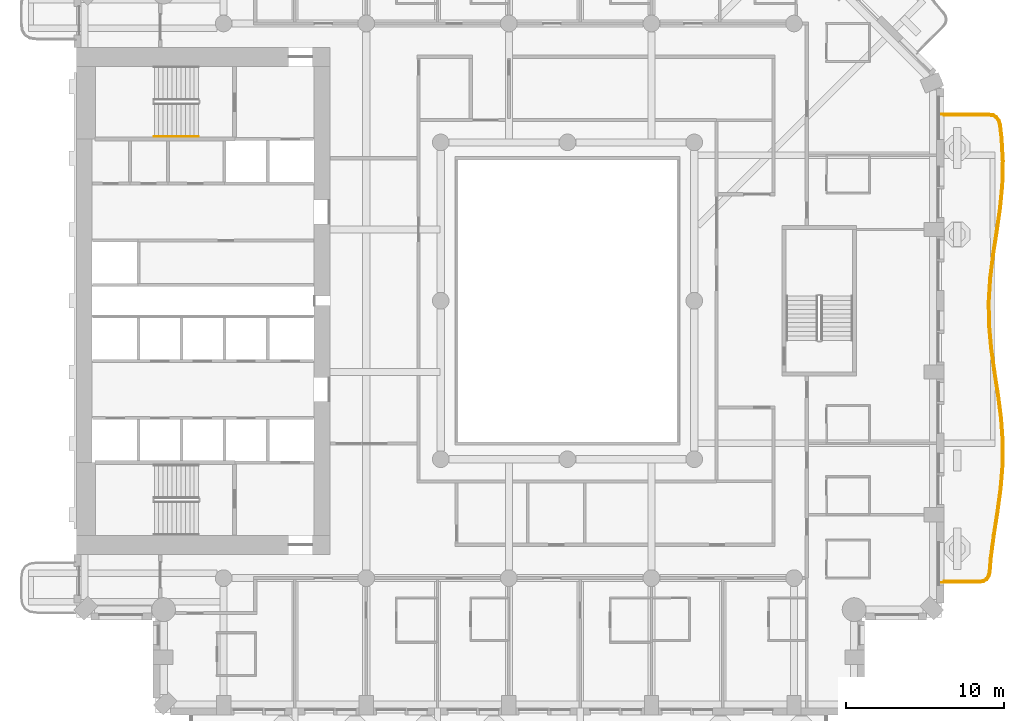
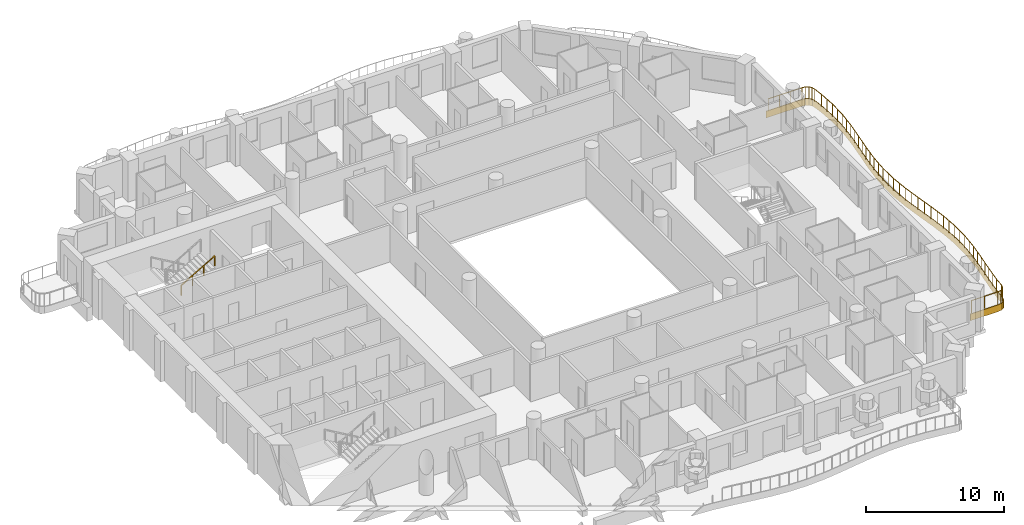
# One storey, part 16 of 20: 2 railings, 1 covering.
"""IFC4 building model written with IfcOpenShell, lengths in metres."""

from ifc_helpers import new_model, si_unit, direction, frame, origin, origin_2d, place, context, subcontext, project, spatial, polyline, rectangle, outline, extrude, material, layer, layer_set, type_object, element, save


model = new_model("IFC4")

# Units and contexts
model_context = context("Model", 3, precision=1e-05, world=origin(), true_north=direction((0.0, 1.0)))
body_context = subcontext(model_context, "Body", "Model", "MODEL_VIEW")
ifc_project = project(units=[si_unit("LENGTHUNIT", "METRE"), si_unit("AREAUNIT", "SQUARE_METRE"), si_unit("VOLUMEUNIT", "CUBIC_METRE"), si_unit("PLANEANGLEUNIT", "RADIAN"), si_unit("MASSUNIT", "GRAM", prefix="KILO")], contexts=[model_context])

# Site, building, storey
site_placement = place(None, origin())
site = spatial("IfcSite", under=ifc_project, at=site_placement, CompositionType="ELEMENT")
building_placement = place(site_placement, origin())
building = spatial("IfcBuilding", under=site, at=building_placement, Name="Cypress Arch Tower", CompositionType="ELEMENT")
storey_placement = place(building_placement, frame((0.0, 0.0, 109.5)))
storey = spatial("IfcBuildingStorey", under=building, at=storey_placement, Name="L22", CompositionType="ELEMENT", Elevation=109.5)

# Covering
ifc_material_1 = material(Name="White powder-coated aluminium fascia", Category="aluminium")
ifc_layer = layer(ifc_material_1, 0.050048828125)
ifc_layer_set = layer_set([ifc_layer], Name="Balcony fascia BF50")
covering_type = type_object("IfcCoveringType", Name="Balcony fascia BF50", PredefinedType="CLADDING", material=ifc_layer_set)
covering_placement = place(storey_placement, frame((0.0, 0.0, -0.60009765625)))
element("IfcCovering", 1, at=covering_placement, inside=storey, type_object=covering_type, Name="Balcony fascia L22-A06", PredefinedType="CLADDING", context=body_context, shape_type="SweptSolid", body=[
    extrude(outline(polyline([(27.5751953125, 11.800048828125), (27.88525390625, 11.7568359375), (28.126953125, 11.622314453125), (28.2890625, 11.3984375), (28.36865234375, 11.095703125), (28.46630859375, 10.279296875), (28.547607421875, 8.80078125), (28.5126953125, 7.322021484375), (28.370361328125, 5.843994140625), (28.158203125, 4.36767578125), (27.930908203125, 2.89306640625), (27.74755859375, 1.42041015625), (27.655517578125, -0.05126953125), (27.678466796875, -1.5224609375), (27.810546875, -2.994384765625), (28.017578125, -4.4677734375), (28.24609375, -5.94287109375), (28.436767578125, -7.420166015625), (28.540283203125, -8.8984375), (28.529052734375, -10.377197265625), (28.40673828125, -11.85546875), (28.20458984375, -13.332275390625), (27.975341796875, -14.80712890625), (27.77880859375, -16.2802734375), (27.716064453125, -17.093505859375), (27.649169921875, -17.396728515625), (27.49658203125, -17.621826171875), (27.260498046875, -17.756591796875), (26.953125, -17.800048828125), (24.60107421875, -17.800048828125), (24.60107421875, -17.75), (26.94970703125, -17.75), (27.244140625, -17.70849609375), (27.461669921875, -17.583984375), (27.6025390625, -17.376708984375), (27.66650390625, -17.086181640625), (27.72900390625, -16.27490234375), (27.926025390625, -14.800048828125), (28.155029296875, -13.324951171875), (28.35693359375, -11.85009765625), (28.479248046875, -10.375), (28.490234375, -8.89990234375), (28.386962890625, -7.425048828125), (28.196533203125, -5.949951171875), (27.968017578125, -4.47509765625), (27.7607421875, -3.0), (27.62841796875, -1.52490234375), (27.60546875, -0.050048828125), (27.69775390625, 1.425048828125), (27.88134765625, 2.89990234375), (28.108642578125, 4.375), (28.32080078125, 5.85009765625), (28.462646484375, 7.324951171875), (28.49755859375, 8.800048828125), (28.416259765625, 10.27490234375), (28.3193359375, 11.086181640625), (28.242919921875, 11.376708984375), (28.0927734375, 11.583984375), (27.869140625, 11.70849609375), (27.57177734375, 11.75), (24.60107421875, 11.75), (24.60107421875, 11.800048828125), (27.5751953125, 11.800048828125)])), origin(), (0.0, 0.0, 1.0), 0.60009765625),
])

# Railings
ifc_material_2 = material(Name="Powder-coated steel posts and rods, 100 mm clear between rods", Category="steel")
railing_type_1 = type_object("IfcRailingType", Name="Balcony guard GR1100", PredefinedType="GUARDRAIL", material=ifc_material_2)
railing_1_placement = place(storey_placement, frame((24.75, 11.699951171875, 0.0)))
element("IfcRailing", 2, at=railing_1_placement, inside=storey, type_object=railing_type_1, Name="Balcony guard L22-A06", PredefinedType="GUARDRAIL", context=body_context, shape_type="SweptSolid", body=[
    extrude(rectangle(XDim=0.050048828125, YDim=0.050048828125, at=origin_2d()), frame((0.0, 0.0, 1.0751953125), z_axis=(1.0, 0.0, 0.0), x_axis=(0.0, 1.0, 0.0)), (0.0, 0.0, 1.0), 2.818359375),
    extrude(rectangle(XDim=0.050048828125, YDim=0.050048828125, at=origin_2d()), frame((2.818359375, 0.0, 1.0751953125), z_axis=(0.990485841564, -0.137614670955, 0.0), x_axis=(0.137614670955, 0.990485841564, 0.0)), (0.0, 0.0, 1.0), 0.287353515625),
    extrude(rectangle(XDim=0.050048828125, YDim=0.050048828125, at=origin_2d()), frame((3.10302734375, -0.03955078125, 1.0751953125), z_axis=(0.873423198204, -0.486961925452, 0.0), x_axis=(0.486961925452, 0.873423198204, 0.0)), (0.0, 0.0, 1.0), 0.235595703125),
    extrude(rectangle(XDim=0.050048828125, YDim=0.050048828125, at=origin_2d()), frame((3.308837890625, -0.154296875, 1.0751953125), z_axis=(0.586814656853, -0.809721284457, 0.0), x_axis=(0.809721284457, 0.586814656853, 0.0)), (0.0, 0.0, 1.0), 0.235595703125),
    extrude(rectangle(XDim=0.050048828125, YDim=0.050048828125, at=origin_2d()), frame((3.447021484375, -0.344970703125, 1.0751953125), z_axis=(0.254702245959, -0.967019527157, 0.0), x_axis=(0.967019527157, 0.254702245959, 0.0)), (0.0, 0.0, 1.0), 0.28759765625),
    extrude(rectangle(XDim=0.050048828125, YDim=0.050048828125, at=origin_2d()), frame((3.520263671875, -0.623046875, 1.0751953125), z_axis=(0.118481157636, -0.992956300793, 0.0), x_axis=(0.992956300793, 0.118481157636, 0.0)), (0.0, 0.0, 1.0), 0.811767578125),
    extrude(rectangle(XDim=0.050048828125, YDim=0.050048828125, at=origin_2d()), frame((3.616455078125, -1.42919921875, 1.0751953125), z_axis=(0.05500206271, -0.998486240815, 0.0), x_axis=(0.998486240815, 0.05500206271, 0.0)), (0.0, 0.0, 1.0), 1.4736328125),
    extrude(rectangle(XDim=0.050048828125, YDim=0.050048828125, at=origin_2d()), frame((3.697509765625, -2.900634765625, 1.0751953125), z_axis=(-0.023554107188, -0.999722563532, 0.0), x_axis=(0.999722563532, -0.023554107188, 0.0)), (0.0, 0.0, 1.0), 1.471923828125),
    extrude(rectangle(XDim=0.050048828125, YDim=0.050048828125, at=origin_2d()), frame((3.662841796875, -4.3720703125, 1.0751953125), z_axis=(-0.095759596037, -0.99540449053, 0.0), x_axis=(0.99540449053, -0.095759596037, 0.0)), (0.0, 0.0, 1.0), 1.478759765625),
    extrude(rectangle(XDim=0.050048828125, YDim=0.050048828125, at=origin_2d()), frame((3.521240234375, -5.843994140625, 1.0751953125), z_axis=(-0.142339615489, -0.989817879139, 0.0), x_axis=(0.989817879139, -0.142339615489, 0.0)), (0.0, 0.0, 1.0), 1.48876953125),
    extrude(rectangle(XDim=0.050048828125, YDim=0.050048828125, at=origin_2d()), frame((3.309326171875, -7.317626953125, 1.0751953125), z_axis=(-0.152425863588, -0.98831490736, 0.0), x_axis=(0.98831490736, -0.152425863588, 0.0)), (0.0, 0.0, 1.0), 1.49267578125),
    extrude(rectangle(XDim=0.050048828125, YDim=0.050048828125, at=origin_2d()), frame((3.081787109375, -8.79296875, 1.0751953125), z_axis=(-0.123489741235, -0.99234584889, 0.0), x_axis=(0.99234584889, -0.123489741235, 0.0)), (0.0, 0.0, 1.0), 1.48876953125),
    extrude(rectangle(XDim=0.050048828125, YDim=0.050048828125, at=origin_2d()), frame((2.89794921875, -10.270263671875, 1.0751953125), z_axis=(-0.062460366855, -0.998047445051, 0.0), x_axis=(0.998047445051, -0.062460366855, 0.0)), (0.0, 0.0, 1.0), 1.4814453125),
    extrude(rectangle(XDim=0.050048828125, YDim=0.050048828125, at=origin_2d()), frame((2.805419921875, -11.748779296875, 1.0751953125), z_axis=(0.015682403374, -0.999877023551, 0.0), x_axis=(0.999877023551, 0.015682403374, 0.0)), (0.0, 0.0, 1.0), 1.47900390625),
    extrude(rectangle(XDim=0.050048828125, YDim=0.050048828125, at=origin_2d()), frame((2.82861328125, -13.2275390625, 1.0751953125), z_axis=(0.089170937356, -0.996016337181, 0.0), x_axis=(0.996016337181, 0.089170937356, 0.0)), (0.0, 0.0, 1.0), 1.48388671875),
    extrude(rectangle(XDim=0.050048828125, YDim=0.050048828125, at=origin_2d()), frame((2.9609375, -14.70556640625, 1.0751953125), z_axis=(0.139151988806, -0.990271035632, 0.0), x_axis=(0.990271035632, 0.139151988806, 0.0)), (0.0, 0.0, 1.0), 1.4912109375),
    extrude(rectangle(XDim=0.050048828125, YDim=0.050048828125, at=origin_2d()), frame((3.16845703125, -16.182373046875, 1.0751953125), z_axis=(0.153139000027, -0.988204658292, 0.0), x_axis=(0.988204658292, 0.153139000027, 0.0)), (0.0, 0.0, 1.0), 1.4921875),
    extrude(rectangle(XDim=0.050048828125, YDim=0.050048828125, at=origin_2d()), frame((3.39697265625, -17.656982421875, 1.0751953125), z_axis=(0.128060010267, -0.991766420973, 0.0), x_axis=(0.991766420973, 0.128060010267, 0.0)), (0.0, 0.0, 1.0), 1.485107421875),
    extrude(rectangle(XDim=0.050048828125, YDim=0.050048828125, at=origin_2d()), frame((3.587158203125, -19.1298828125, 1.0751953125), z_axis=(0.06983571492, -0.997558506014, 0.0), x_axis=(0.997558506014, 0.06983571492, 0.0)), (0.0, 0.0, 1.0), 1.475341796875),
    extrude(rectangle(XDim=0.050048828125, YDim=0.050048828125, at=origin_2d()), frame((3.690185546875, -20.6015625, 1.0751953125), z_axis=(-0.007467432015, -0.999972118341, 0.0), x_axis=(0.999972118341, -0.007467432015, 0.0)), (0.0, 0.0, 1.0), 1.47119140625),
    extrude(rectangle(XDim=0.050048828125, YDim=0.050048828125, at=origin_2d()), frame((3.67919921875, -22.07275390625, 1.0751953125), z_axis=(-0.082662376359, -0.996577609389, 0.0), x_axis=(0.996577609389, -0.082662376359, 0.0)), (0.0, 0.0, 1.0), 1.476806640625),
    extrude(rectangle(XDim=0.050048828125, YDim=0.050048828125, at=origin_2d()), frame((3.55712890625, -23.54443359375, 1.0751953125), z_axis=(-0.135604031739, -0.99076311325, 0.0), x_axis=(0.99076311325, -0.135604031739, 0.0)), (0.0, 0.0, 1.0), 1.487060546875),
    extrude(rectangle(XDim=0.050048828125, YDim=0.050048828125, at=origin_2d()), frame((3.35546875, -25.017822265625, 1.0751953125), z_axis=(-0.15340892067, -0.98816279178, 0.0), x_axis=(0.98816279178, -0.15340892067, 0.0)), (0.0, 0.0, 1.0), 1.49267578125),
    extrude(rectangle(XDim=0.050048828125, YDim=0.050048828125, at=origin_2d()), frame((3.12646484375, -26.492919921875, 1.0751953125), z_axis=(-0.132399848199, -0.991196388309, 0.0), x_axis=(0.991196388309, -0.132399848199, 0.0)), (0.0, 0.0, 1.0), 1.489990234375),
    extrude(rectangle(XDim=0.050048828125, YDim=0.050048828125, at=origin_2d()), frame((2.92919921875, -27.9697265625, 1.0751953125), z_axis=(-0.076719505867, -0.997052715467, 0.0), x_axis=(0.997052715467, -0.076719505867, 0.0)), (0.0, 0.0, 1.0), 0.8115234375),
    extrude(rectangle(XDim=0.050048828125, YDim=0.050048828125, at=origin_2d()), frame((2.866943359375, -28.77880859375, 1.0751953125), z_axis=(-0.215566222609, -0.97648922353, 0.0), x_axis=(0.97648922353, -0.215566222609, 0.0)), (0.0, 0.0, 1.0), 0.2841796875),
    extrude(rectangle(XDim=0.050048828125, YDim=0.050048828125, at=origin_2d()), frame((2.8056640625, -29.056396484375, 1.0751953125), z_axis=(-0.561553433558, -0.827440475962, 0.0), x_axis=(0.827440475962, -0.561553433558, 0.0)), (0.0, 0.0, 1.0), 0.2294921875),
    extrude(rectangle(XDim=0.050048828125, YDim=0.050048828125, at=origin_2d()), frame((2.6767578125, -29.246337890625, 1.0751953125), z_axis=(-0.867915684875, -0.496711550045, 0.0), x_axis=(0.496711550045, -0.867915684875, 0.0)), (0.0, 0.0, 1.0), 0.2294921875),
    extrude(rectangle(XDim=0.050048828125, YDim=0.050048828125, at=origin_2d()), frame((2.4775390625, -29.3603515625, 1.0751953125), z_axis=(-0.990273226818, -0.139136394401, 0.0), x_axis=(0.139136394401, -0.990273226818, 0.0)), (0.0, 0.0, 1.0), 0.2841796875),
    extrude(rectangle(XDim=0.050048828125, YDim=0.050048828125, at=origin_2d()), frame((2.196044921875, -29.39990234375, 1.0751953125), z_axis=(-1.0, 0.0, 0.0), x_axis=(0.0, -1.0, 0.0)), (0.0, 0.0, 1.0), 2.196044921875),
    extrude(rectangle(XDim=0.0400390625, YDim=0.0400390625, at=origin_2d()), origin(), (0.0, 0.0, 1.0), 1.050048828125),
    extrude(rectangle(XDim=0.0400390625, YDim=0.0400390625, at=origin_2d()), frame((0.939453125, 0.0, 0.0)), (0.0, 0.0, 1.0), 1.050048828125),
    extrude(rectangle(XDim=0.0400390625, YDim=0.0400390625, at=origin_2d()), frame((1.87890625, 0.0, 0.0)), (0.0, 0.0, 1.0), 1.050048828125),
    extrude(rectangle(XDim=0.0400390625, YDim=0.0400390625, at=origin_2d()), frame((2.818359375, 0.0, 0.0)), (0.0, 0.0, 1.0), 1.050048828125),
    extrude(rectangle(XDim=0.0400390625, YDim=0.0400390625, at=origin_2d()), frame((3.10302734375, -0.03955078125, 0.0)), (0.0, 0.0, 1.0), 1.050048828125),
    extrude(rectangle(XDim=0.0400390625, YDim=0.0400390625, at=origin_2d()), frame((3.308837890625, -0.154296875, 0.0)), (0.0, 0.0, 1.0), 1.050048828125),
    extrude(rectangle(XDim=0.0400390625, YDim=0.0400390625, at=origin_2d()), frame((3.447021484375, -0.344970703125, 0.0)), (0.0, 0.0, 1.0), 1.050048828125),
    extrude(rectangle(XDim=0.0400390625, YDim=0.0400390625, at=origin_2d()), frame((3.520263671875, -0.623046875, 0.0)), (0.0, 0.0, 1.0), 1.050048828125),
    extrude(rectangle(XDim=0.0400390625, YDim=0.0400390625, at=origin_2d()), frame((3.616455078125, -1.42919921875, 0.0)), (0.0, 0.0, 1.0), 1.050048828125),
    extrude(rectangle(XDim=0.0400390625, YDim=0.0400390625, at=origin_2d()), frame((3.656982421875, -2.1650390625, 0.0)), (0.0, 0.0, 1.0), 1.050048828125),
    extrude(rectangle(XDim=0.0400390625, YDim=0.0400390625, at=origin_2d()), frame((3.697509765625, -2.900634765625, 0.0)), (0.0, 0.0, 1.0), 1.050048828125),
    extrude(rectangle(XDim=0.0400390625, YDim=0.0400390625, at=origin_2d()), frame((3.68017578125, -3.63623046875, 0.0)), (0.0, 0.0, 1.0), 1.050048828125),
    extrude(rectangle(XDim=0.0400390625, YDim=0.0400390625, at=origin_2d()), frame((3.662841796875, -4.3720703125, 0.0)), (0.0, 0.0, 1.0), 1.050048828125),
    extrude(rectangle(XDim=0.0400390625, YDim=0.0400390625, at=origin_2d()), frame((3.592041015625, -5.10791015625, 0.0)), (0.0, 0.0, 1.0), 1.050048828125),
    extrude(rectangle(XDim=0.0400390625, YDim=0.0400390625, at=origin_2d()), frame((3.521240234375, -5.843994140625, 0.0)), (0.0, 0.0, 1.0), 1.050048828125),
    extrude(rectangle(XDim=0.0400390625, YDim=0.0400390625, at=origin_2d()), frame((3.415283203125, -6.580810546875, 0.0)), (0.0, 0.0, 1.0), 1.050048828125),
    extrude(rectangle(XDim=0.0400390625, YDim=0.0400390625, at=origin_2d()), frame((3.309326171875, -7.317626953125, 0.0)), (0.0, 0.0, 1.0), 1.050048828125),
    extrude(rectangle(XDim=0.0400390625, YDim=0.0400390625, at=origin_2d()), frame((3.195556640625, -8.05517578125, 0.0)), (0.0, 0.0, 1.0), 1.050048828125),
    extrude(rectangle(XDim=0.0400390625, YDim=0.0400390625, at=origin_2d()), frame((3.081787109375, -8.79296875, 0.0)), (0.0, 0.0, 1.0), 1.050048828125),
    extrude(rectangle(XDim=0.0400390625, YDim=0.0400390625, at=origin_2d()), frame((2.98974609375, -9.53173828125, 0.0)), (0.0, 0.0, 1.0), 1.050048828125),
    extrude(rectangle(XDim=0.0400390625, YDim=0.0400390625, at=origin_2d()), frame((2.89794921875, -10.270263671875, 0.0)), (0.0, 0.0, 1.0), 1.050048828125),
    extrude(rectangle(XDim=0.0400390625, YDim=0.0400390625, at=origin_2d()), frame((2.8515625, -11.009521484375, 0.0)), (0.0, 0.0, 1.0), 1.050048828125),
    extrude(rectangle(XDim=0.0400390625, YDim=0.0400390625, at=origin_2d()), frame((2.805419921875, -11.748779296875, 0.0)), (0.0, 0.0, 1.0), 1.050048828125),
    extrude(rectangle(XDim=0.0400390625, YDim=0.0400390625, at=origin_2d()), frame((2.81689453125, -12.48828125, 0.0)), (0.0, 0.0, 1.0), 1.050048828125),
    extrude(rectangle(XDim=0.0400390625, YDim=0.0400390625, at=origin_2d()), frame((2.82861328125, -13.2275390625, 0.0)), (0.0, 0.0, 1.0), 1.050048828125),
    extrude(rectangle(XDim=0.0400390625, YDim=0.0400390625, at=origin_2d()), frame((2.894775390625, -13.966552734375, 0.0)), (0.0, 0.0, 1.0), 1.050048828125),
    extrude(rectangle(XDim=0.0400390625, YDim=0.0400390625, at=origin_2d()), frame((2.9609375, -14.70556640625, 0.0)), (0.0, 0.0, 1.0), 1.050048828125),
    extrude(rectangle(XDim=0.0400390625, YDim=0.0400390625, at=origin_2d()), frame((3.064697265625, -15.44384765625, 0.0)), (0.0, 0.0, 1.0), 1.050048828125),
    extrude(rectangle(XDim=0.0400390625, YDim=0.0400390625, at=origin_2d()), frame((3.16845703125, -16.182373046875, 0.0)), (0.0, 0.0, 1.0), 1.050048828125),
    extrude(rectangle(XDim=0.0400390625, YDim=0.0400390625, at=origin_2d()), frame((3.28271484375, -16.919677734375, 0.0)), (0.0, 0.0, 1.0), 1.050048828125),
    extrude(rectangle(XDim=0.0400390625, YDim=0.0400390625, at=origin_2d()), frame((3.39697265625, -17.656982421875, 0.0)), (0.0, 0.0, 1.0), 1.050048828125),
    extrude(rectangle(XDim=0.0400390625, YDim=0.0400390625, at=origin_2d()), frame((3.4921875, -18.3935546875, 0.0)), (0.0, 0.0, 1.0), 1.050048828125),
    extrude(rectangle(XDim=0.0400390625, YDim=0.0400390625, at=origin_2d()), frame((3.587158203125, -19.1298828125, 0.0)), (0.0, 0.0, 1.0), 1.050048828125),
    extrude(rectangle(XDim=0.0400390625, YDim=0.0400390625, at=origin_2d()), frame((3.638671875, -19.86572265625, 0.0)), (0.0, 0.0, 1.0), 1.050048828125),
    extrude(rectangle(XDim=0.0400390625, YDim=0.0400390625, at=origin_2d()), frame((3.690185546875, -20.6015625, 0.0)), (0.0, 0.0, 1.0), 1.050048828125),
    extrude(rectangle(XDim=0.0400390625, YDim=0.0400390625, at=origin_2d()), frame((3.6845703125, -21.337158203125, 0.0)), (0.0, 0.0, 1.0), 1.050048828125),
    extrude(rectangle(XDim=0.0400390625, YDim=0.0400390625, at=origin_2d()), frame((3.67919921875, -22.07275390625, 0.0)), (0.0, 0.0, 1.0), 1.050048828125),
    extrude(rectangle(XDim=0.0400390625, YDim=0.0400390625, at=origin_2d()), frame((3.6181640625, -22.80859375, 0.0)), (0.0, 0.0, 1.0), 1.050048828125),
    extrude(rectangle(XDim=0.0400390625, YDim=0.0400390625, at=origin_2d()), frame((3.55712890625, -23.54443359375, 0.0)), (0.0, 0.0, 1.0), 1.050048828125),
    extrude(rectangle(XDim=0.0400390625, YDim=0.0400390625, at=origin_2d()), frame((3.456298828125, -24.28125, 0.0)), (0.0, 0.0, 1.0), 1.050048828125),
    extrude(rectangle(XDim=0.0400390625, YDim=0.0400390625, at=origin_2d()), frame((3.35546875, -25.017822265625, 0.0)), (0.0, 0.0, 1.0), 1.050048828125),
    extrude(rectangle(XDim=0.0400390625, YDim=0.0400390625, at=origin_2d()), frame((3.240966796875, -25.75537109375, 0.0)), (0.0, 0.0, 1.0), 1.050048828125),
    extrude(rectangle(XDim=0.0400390625, YDim=0.0400390625, at=origin_2d()), frame((3.12646484375, -26.492919921875, 0.0)), (0.0, 0.0, 1.0), 1.050048828125),
    extrude(rectangle(XDim=0.0400390625, YDim=0.0400390625, at=origin_2d()), frame((3.02783203125, -27.2314453125, 0.0)), (0.0, 0.0, 1.0), 1.050048828125),
    extrude(rectangle(XDim=0.0400390625, YDim=0.0400390625, at=origin_2d()), frame((2.92919921875, -27.9697265625, 0.0)), (0.0, 0.0, 1.0), 1.050048828125),
    extrude(rectangle(XDim=0.0400390625, YDim=0.0400390625, at=origin_2d()), frame((2.866943359375, -28.77880859375, 0.0)), (0.0, 0.0, 1.0), 1.050048828125),
    extrude(rectangle(XDim=0.0400390625, YDim=0.0400390625, at=origin_2d()), frame((2.8056640625, -29.056396484375, 0.0)), (0.0, 0.0, 1.0), 1.050048828125),
    extrude(rectangle(XDim=0.0400390625, YDim=0.0400390625, at=origin_2d()), frame((2.6767578125, -29.246337890625, 0.0)), (0.0, 0.0, 1.0), 1.050048828125),
    extrude(rectangle(XDim=0.0400390625, YDim=0.0400390625, at=origin_2d()), frame((2.4775390625, -29.3603515625, 0.0)), (0.0, 0.0, 1.0), 1.050048828125),
    extrude(rectangle(XDim=0.0400390625, YDim=0.0400390625, at=origin_2d()), frame((2.196044921875, -29.39990234375, 0.0)), (0.0, 0.0, 1.0), 1.050048828125),
    extrude(rectangle(XDim=0.0400390625, YDim=0.0400390625, at=origin_2d()), frame((1.09814453125, -29.39990234375, 0.0)), (0.0, 0.0, 1.0), 1.050048828125),
    extrude(rectangle(XDim=0.0400390625, YDim=0.0400390625, at=origin_2d()), frame((0.0, -29.39990234375, 0.0)), (0.0, 0.0, 1.0), 1.050048828125),
])
ifc_material_3 = material(Name="Black powder-coated steel square bar 48 mm", Category="steel")
railing_type_2 = type_object("IfcRailingType", Name="Stair handrail HR1", PredefinedType="HANDRAIL", material=ifc_material_3)
railing_2_placement = place(storey_placement, frame((-25.074951171875, 10.375, 1.963623046875)))
element("IfcRailing", 3, at=railing_2_placement, inside=storey, type_object=railing_type_2, Name="L22 B stair handrail 2", PredefinedType="HANDRAIL", context=body_context, shape_type="SweptSolid", body=[
    extrude(rectangle(XDim=0.048095703125, YDim=0.048095703125, at=origin_2d()), frame((0.0, 0.0, 0.8759765625), z_axis=(0.863360870873, 0.0, 0.504586966384), x_axis=(0.0, 1.0, 0.0)), (0.0, 0.0, 1.0), 3.2431640625),
    extrude(rectangle(XDim=0.0419921875, YDim=0.0419921875, at=origin_2d()), origin(), (0.0, 0.0, 1.0), 0.851806640625),
    extrude(rectangle(XDim=0.0419921875, YDim=0.0419921875, at=origin_2d()), frame((0.933349609375, 0.0, 0.54541015625)), (0.0, 0.0, 1.0), 0.851806640625),
    extrude(rectangle(XDim=0.0419921875, YDim=0.0419921875, at=origin_2d()), frame((1.86669921875, 0.0, 1.091064453125)), (0.0, 0.0, 1.0), 0.851806640625),
    extrude(rectangle(XDim=0.0419921875, YDim=0.0419921875, at=origin_2d()), frame((2.800048828125, 0.0, 1.636474609375)), (0.0, 0.0, 1.0), 0.851806640625),
])

save(model, "model.ifc")
